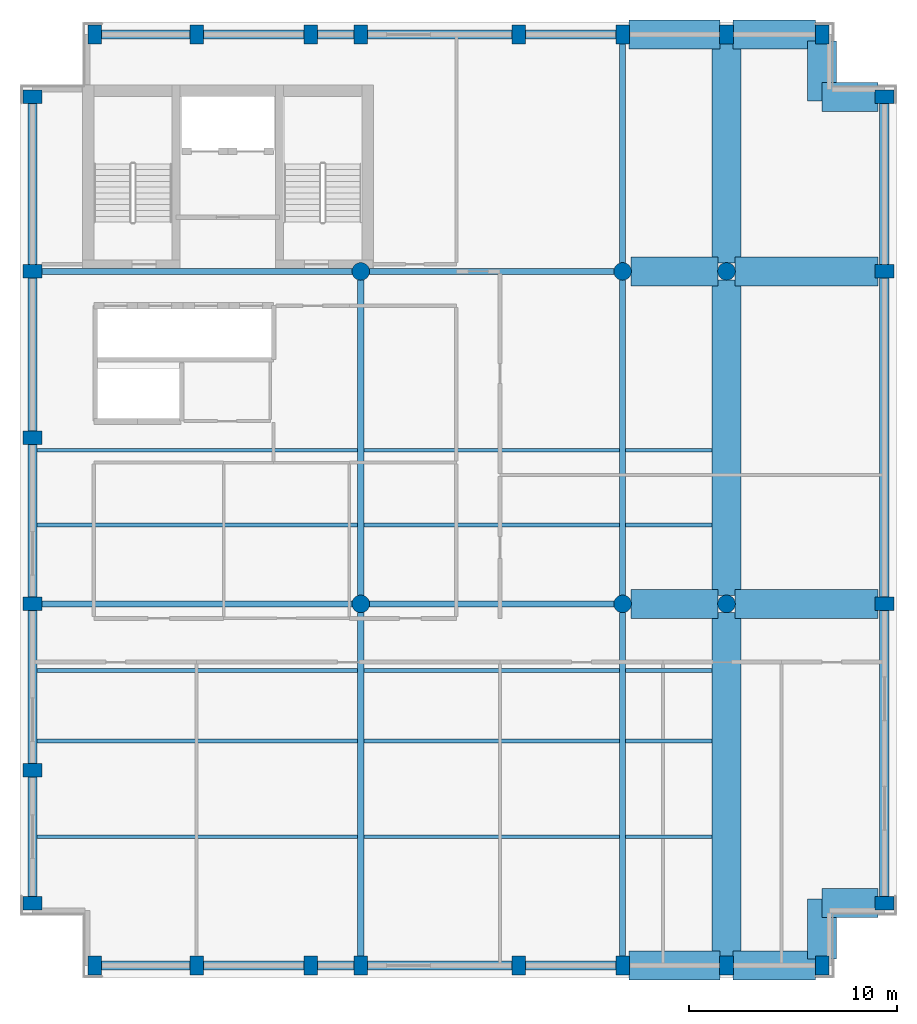
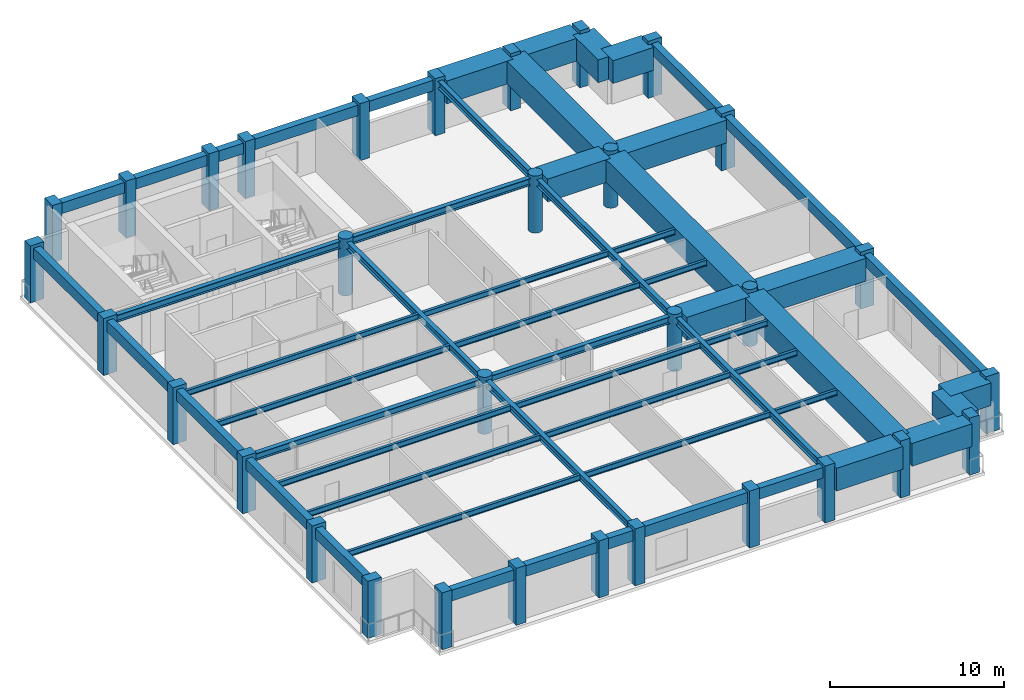
# One storey, part 1 of 7: 57 beams, 32 columns.
"""IFC4 building model written with IfcOpenShell, lengths in metres."""

import ifcopenshell
import ifcopenshell.guid

model = None  # the IFC model being written
_history = None  # IfcOwnerHistory: only IFC2X3 demands one
_inside = {}  # id of a spatial element -> (the spatial element, [elements in it])
_under = {}  # id of a project, library or spatial element -> (it, [spatial elements below it])
_declared = {}  # id of a project -> (the project, [libraries it declares])
_typed = {}  # id of a type object -> (the type object, [elements of that type])
_made_of = {}  # id of a material, layer set ... -> (it, [elements and type objects made of it])


def new_model(schema):
    """Start an empty IFC model of exactly this schema.

    Asked for "IFC4X3", IfcOpenShell would pick the latest addendum, in which some entities
    have other attributes; the version numbers below select the first issue.
    IFC2X3 requires an IfcOwnerHistory on every rooted entity: one is made here for all.
    """
    global model, _history
    if schema == "IFC4X3":
        model = ifcopenshell.file(schema_version=(4, 3, 0, 0))
    else:
        model = ifcopenshell.file(schema=schema)
    _inside.clear()
    _under.clear()
    _declared.clear()
    _typed.clear()
    _made_of.clear()
    _history = None
    if model.schema == "IFC2X3":
        org = make("IfcOrganization", Name="unknown")
        user = make(
            "IfcPersonAndOrganization",
            ThePerson=make("IfcPerson", FamilyName="unknown"),
            TheOrganization=org,
        )
        app = make(
            "IfcApplication",
            ApplicationDeveloper=org,
            Version="unknown",
            ApplicationFullName="unknown",
            ApplicationIdentifier="unknown",
        )
        _history = make(
            "IfcOwnerHistory",
            OwningUser=user,
            OwningApplication=app,
            ChangeAction="ADDED",
            CreationDate=0,
        )
    return model


def make(cls, **values):
    """One entity of the class cls with the attributes given. An attribute that is None is left unset."""
    return model.create_entity(
        cls, **{name: value for name, value in values.items() if value is not None}
    )


def rooted(cls, **values):
    """An entity with a GlobalId (a new one), such as an element, a storey or a relation."""
    return make(cls, GlobalId=ifcopenshell.guid.new(), OwnerHistory=_history, **values)


def si_unit(unit_type, name, prefix=None):
    """IfcSIUnit, for example si_unit("LENGTHUNIT", "METRE", prefix="MILLI")."""
    return make("IfcSIUnit", UnitType=unit_type, Prefix=prefix, Name=name)


def assignment(units):
    """IfcUnitAssignment: the units of a project."""
    return None if units is None else make("IfcUnitAssignment", Units=units)


def point(xyz):
    """IfcCartesianPoint."""
    return None if xyz is None else make("IfcCartesianPoint", Coordinates=xyz)


def direction(xyz):
    """IfcDirection."""
    return None if xyz is None else make("IfcDirection", DirectionRatios=xyz)


def frame(location, z_axis=None, x_axis=None):
    """IfcAxis2Placement3D, a coordinate frame: its origin and axes. An axis left out is left unset."""
    return make(
        "IfcAxis2Placement3D",
        Location=point(location),
        Axis=direction(z_axis),
        RefDirection=direction(x_axis),
    )


def frame_2d(location, x_axis=None):
    """IfcAxis2Placement2D, a coordinate frame in the plane: its origin and x axis."""
    return make(
        "IfcAxis2Placement2D", Location=point(location), RefDirection=direction(x_axis)
    )


def origin():
    """The frame at (0, 0, 0) with its axes left unset."""
    return frame((0.0, 0.0, 0.0))


def origin_2d():
    """The frame at (0, 0) in the plane with its x axis left unset."""
    return frame_2d((0.0, 0.0))


def place(relative_to, where):
    """IfcLocalPlacement: puts the frame where relative to a parent placement (None: the world)."""
    return make(
        "IfcLocalPlacement", PlacementRelTo=relative_to, RelativePlacement=where
    )


def context(
    kind, dimensions, precision=None, world=None, true_north=None, identifier=None
):
    """IfcGeometricRepresentationContext, for example the 3D "Model" context."""
    return make(
        "IfcGeometricRepresentationContext",
        ContextIdentifier=identifier,
        ContextType=kind,
        CoordinateSpaceDimension=dimensions,
        Precision=precision,
        WorldCoordinateSystem=world,
        TrueNorth=true_north,
    )


def subcontext(parent, identifier, kind, view, scale=None):
    """IfcGeometricRepresentationSubContext, for example "Body" below "Model"."""
    return make(
        "IfcGeometricRepresentationSubContext",
        ContextIdentifier=identifier,
        ContextType=kind,
        ParentContext=parent,
        TargetScale=scale,
        TargetView=view,
    )


def project(units=None, contexts=None):
    """IfcProject with its units and contexts."""
    return rooted(
        "IfcProject",
        Name="project",
        RepresentationContexts=contexts,
        UnitsInContext=assignment(units),
    )


def spatial(cls, under=None, at=None, **own):
    """A site, building, storey or space (cls), placed at a placement, below another one or the project."""
    s = rooted(cls, ObjectPlacement=at, **own)
    if under is not None:
        _under.setdefault(under.id(), (under, []))[1].append(s)
    return s


def profile(cls, at=None, kind="AREA", **sizes):
    """A parametric profile (cls). Its sizes go by their IFC names, for example OverallWidth=200.0."""
    return make(cls, ProfileType=kind, Position=at, **sizes)


def rectangle(**sizes):
    """IfcRectangleProfileDef."""
    return profile("IfcRectangleProfileDef", **sizes)


def circle(**sizes):
    """IfcCircleProfileDef."""
    return profile("IfcCircleProfileDef", **sizes)


def i_section(**sizes):
    """IfcIShapeProfileDef."""
    return profile("IfcIShapeProfileDef", **sizes)


def extrude(swept, where, along, depth):
    """IfcExtrudedAreaSolid: the profile swept, set in the frame where, extruded along a direction by depth."""
    return make(
        "IfcExtrudedAreaSolid",
        SweptArea=swept,
        Position=where,
        ExtrudedDirection=direction(along),
        Depth=depth,
    )


def shape(context_of_items, identifier, shape_type, items):
    """IfcShapeRepresentation: the items that make up one representation, for example the "Body"."""
    return make(
        "IfcShapeRepresentation",
        ContextOfItems=context_of_items,
        RepresentationIdentifier=identifier,
        RepresentationType=shape_type,
        Items=items,
    )


def material(Name=None, Category=None):
    """IfcMaterial."""
    return make("IfcMaterial", Name=Name, Category=Category)


def material_profile(
    of_material, cross_section, Name=None, Category=None, Priority=None
):
    """IfcMaterialProfile: a cross section and its material."""
    return make(
        "IfcMaterialProfile",
        Name=Name,
        Material=of_material,
        Profile=cross_section,
        Priority=Priority,
        Category=Category,
    )


def profile_set(profiles, Name=None, composite=None):
    """IfcMaterialProfileSet."""
    return make(
        "IfcMaterialProfileSet",
        Name=Name,
        MaterialProfiles=profiles,
        CompositeProfile=composite,
    )


def made_of(thing, what):
    """Note that an element or type object is made of a material, layer set ...; save() writes the relation."""
    if what is not None:
        _made_of.setdefault(what.id(), (what, []))[1].append(thing)
    return thing


def type_object(cls, material=None, **own):
    """A type object (cls), such as IfcWallType, which elements share."""
    return made_of(rooted(cls, **own), material)


def element(
    cls,
    number,
    at=None,
    inside=None,
    cuts=None,
    type_object=None,
    material=None,
    context=None,
    identifier="Body",
    shape_type=None,
    held_by="IfcProductDefinitionShape",
    body=None,
    shapes=None,
    **own,
):
    """One element of the class cls, such as IfcWall. Its Tag is "e" and its number.

    at: its placement. inside: the storey or other place that contains it. cuts: it is an
    opening in that element (IfcRelVoidsElement). A single representation is given by context,
    identifier, shape_type and body (its items); several are given by shapes. held_by: the class
    of the entity that holds the representations. save() writes the other relations.
    """
    e = rooted(cls, Tag="e%d" % number, ObjectPlacement=at, **own)
    if body is not None:
        shapes = [shape(context, identifier, shape_type, body)]
    if shapes is not None:
        e.Representation = make(held_by, Representations=shapes)
    if inside is not None:
        _inside.setdefault(inside.id(), (inside, []))[1].append(e)
    if cuts is not None:
        rooted(
            "IfcRelVoidsElement", RelatingBuildingElement=cuts, RelatedOpeningElement=e
        )
    if type_object is not None:
        _typed.setdefault(type_object.id(), (type_object, []))[1].append(e)
    return made_of(e, material)


def aggregate(whole, parts):
    """IfcRelAggregates: a whole, such as a stair, and the parts it consists of."""
    return rooted("IfcRelAggregates", RelatingObject=whole, RelatedObjects=parts)


def save(model, path):
    """Write the relations noted so far, then the file.

    IfcRelAggregates (storeys below a building ...), IfcRelContainedInSpatialStructure (elements
    in a storey), IfcRelDefinesByType, IfcRelAssociatesMaterial and IfcRelDeclares: one each for
    every whole, place, type object, material and project.
    """
    for whole, parts in _under.values():
        aggregate(whole, parts)
    for where, things in _inside.values():
        rooted(
            "IfcRelContainedInSpatialStructure",
            RelatedElements=things,
            RelatingStructure=where,
        )
    for kind, things in _typed.values():
        rooted("IfcRelDefinesByType", RelatedObjects=things, RelatingType=kind)
    for what, things in _made_of.values():
        rooted("IfcRelAssociatesMaterial", RelatedObjects=things, RelatingMaterial=what)
    for by, libraries in _declared.values():
        rooted("IfcRelDeclares", RelatingContext=by, RelatedDefinitions=libraries)
    model.write(path)


model = new_model("IFC4")

# Units and contexts
model_context = context("Model", 3, precision=1e-05, world=origin(), true_north=direction((0.0, 1.0)))
body_context = subcontext(model_context, "Body", "Model", "MODEL_VIEW")
ifc_project = project(units=[si_unit("LENGTHUNIT", "METRE"), si_unit("AREAUNIT", "SQUARE_METRE"), si_unit("VOLUMEUNIT", "CUBIC_METRE"), si_unit("PLANEANGLEUNIT", "RADIAN"), si_unit("MASSUNIT", "GRAM", prefix="KILO")], contexts=[model_context])

# Site, building, storey
site_placement = place(None, origin())
site = spatial("IfcSite", under=ifc_project, at=site_placement, CompositionType="ELEMENT")
building_placement = place(site_placement, origin())
building = spatial("IfcBuilding", under=site, at=building_placement, Name="Sulina Concourse Tower", CompositionType="ELEMENT")
storey_placement = place(building_placement, frame((0.0, 0.0, 301.0)))
storey = spatial("IfcBuildingStorey", under=building, at=storey_placement, Name="L73", CompositionType="ELEMENT", Elevation=301.0)

# Columns
ifc_material_1 = material(Name="Precast concrete C50/60", Category="concrete")
ifc_material_profile_1 = material_profile(ifc_material_1, rectangle(XDim=0.64990234375, YDim=0.89990234375, at=origin_2d()), Name="PC 650x900")
ifc_profile_set_1 = profile_set([ifc_material_profile_1], Name="Precast concrete C50/60")
column_type_1 = type_object("IfcColumnType", Name="Precast Stepped Crown Pier 650x900", PredefinedType="COLUMN", material=ifc_profile_set_1)
for number, where, z_axis, x_axis, name in (
    (1, (3.60009765625, 0.60009765625, 0.0), (0.0, 0.0, 1.0), (1.0, 0.0, 0.0), "L73 structural column TP-S-36"),
    (2, (3.60009765625, 45.39990234375, 0.0), (0.0, 0.0, 1.0), (1.0, 0.0, 0.0), "L73 structural column TP-N-36"),
    (3, (8.5, 0.60009765625, 0.0), (0.0, 0.0, 1.0), (1.0, 0.0, 0.0), "L73 structural column TP-S-85"),
    (4, (8.5, 45.39990234375, 0.0), (0.0, 0.0, 1.0), (1.0, 0.0, 0.0), "L73 structural column TP-N-85"),
    (5, (14.0, 0.60009765625, 0.0), (0.0, 0.0, 1.0), (1.0, 0.0, 0.0), "L73 structural column TP-S-140"),
    (6, (14.0, 45.39990234375, 0.0), (0.0, 0.0, 1.0), (1.0, 0.0, 0.0), "L73 structural column TP-N-140"),
    (7, (16.39990234375, 0.60009765625, 0.0), (0.0, 0.0, 1.0), (1.0, 0.0, 0.0), "L73 structural column TP-S-164"),
    (8, (16.39990234375, 45.39990234375, 0.0), (0.0, 0.0, 1.0), (1.0, 0.0, 0.0), "L73 structural column TP-N-164"),
    (9, (24.0, 0.60009765625, 0.0), (0.0, 0.0, 1.0), (1.0, 0.0, 0.0), "L73 structural column TP-S-240"),
    (10, (24.0, 45.39990234375, 0.0), (0.0, 0.0, 1.0), (1.0, 0.0, 0.0), "L73 structural column TP-N-240"),
    (11, (29.0, 0.60009765625, 0.0), (0.0, 0.0, 1.0), (1.0, 0.0, 0.0), "L73 structural column TP-S-290"),
    (12, (29.0, 45.39990234375, 0.0), (0.0, 0.0, 1.0), (1.0, 0.0, 0.0), "L73 structural column TP-N-290"),
    (13, (34.0, 0.60009765625, 0.0), (0.0, 0.0, 1.0), (1.0, 0.0, 0.0), "L73 structural column TP-S-340"),
    (14, (34.0, 45.39990234375, 0.0), (0.0, 0.0, 1.0), (1.0, 0.0, 0.0), "L73 structural column TP-N-340"),
    (15, (38.60009765625, 0.60009765625, 0.0), (0.0, 0.0, 1.0), (1.0, 0.0, 0.0), "L73 structural column TP-SC-386"),
    (16, (38.60009765625, 45.39990234375, 0.0), (0.0, 0.0, 1.0), (1.0, 0.0, 0.0), "L73 structural column TP-NC-386"),
    (17, (0.60009765625, 3.60009765625, 0.0), (0.0, 0.0, 1.0), (0.0, 1.0, 0.0), "L73 structural column TP-W-36"),
    (18, (41.60009765625, 3.60009765625, 0.0), (0.0, 0.0, 1.0), (0.0, 1.0, 0.0), "L73 structural column TP-E-36"),
    (19, (0.60009765625, 10.0, 0.0), (0.0, 0.0, 1.0), (0.0, 1.0, 0.0), "L73 structural column TP-W-100"),
    (20, (0.60009765625, 18.0, 0.0), (0.0, 0.0, 1.0), (0.0, 1.0, 0.0), "L73 structural column TP-W-180"),
    (21, (41.60009765625, 18.0, 0.0), (0.0, 0.0, 1.0), (0.0, 1.0, 0.0), "L73 structural column TP-E-180"),
    (22, (0.60009765625, 26.0, 0.0), (0.0, 0.0, 1.0), (0.0, 1.0, 0.0), "L73 structural column TP-W-260"),
    (23, (0.60009765625, 34.0, 0.0), (0.0, 0.0, 1.0), (0.0, 1.0, 0.0), "L73 structural column TP-W-340"),
    (24, (41.60009765625, 34.0, 0.0), (0.0, 0.0, 1.0), (0.0, 1.0, 0.0), "L73 structural column TP-E-340"),
    (25, (0.60009765625, 42.39990234375, 0.0), (0.0, 0.0, 1.0), (0.0, 1.0, 0.0), "L73 structural column TP-W-424"),
    (26, (41.60009765625, 42.39990234375, 0.0), (0.0, 0.0, 1.0), (0.0, 1.0, 0.0), "L73 structural column TP-E-424"),
):
    element("IfcColumn", number, at=place(storey_placement, frame(where, z_axis=z_axis, x_axis=x_axis)), inside=storey, type_object=column_type_1, Name=name, PredefinedType="COLUMN", context=body_context, shape_type="SweptSolid", body=[
        extrude(rectangle(XDim=0.64990234375, YDim=0.89990234375, at=origin_2d()), origin(), (0.0, 0.0, 1.0), 4.0),
    ])
ifc_material_2 = material(Name="Concrete C50/60", Category="concrete")
ifc_material_profile_2 = material_profile(ifc_material_2, circle(Radius=0.425048828125, at=origin_2d()), Name="RC D850")
ifc_profile_set_2 = profile_set([ifc_material_profile_2], Name="Concrete C50/60")
column_type_2 = type_object("IfcColumnType", Name="Upper Interior Circular Column D850", PredefinedType="COLUMN", material=ifc_profile_set_2)
for number, where, z_axis, x_axis, name in (
    (27, (16.39990234375, 18.0, 0.0), (0.0, 0.0, 1.0), (1.0, 0.0, 0.0), "L73 structural column IC-M-164"),
    (28, (16.39990234375, 34.0, 0.0), (0.0, 0.0, 1.0), (1.0, 0.0, 0.0), "L73 structural column IC-N-164"),
    (29, (29.0, 18.0, 0.0), (0.0, 0.0, 1.0), (1.0, 0.0, 0.0), "L73 structural column IC-M-290"),
    (30, (29.0, 34.0, 0.0), (0.0, 0.0, 1.0), (1.0, 0.0, 0.0), "L73 structural column IC-N-290"),
    (31, (34.0, 18.0, 0.0), (0.0, 0.0, 1.0), (1.0, 0.0, 0.0), "L73 structural column IC-M-340"),
    (32, (34.0, 34.0, 0.0), (0.0, 0.0, 1.0), (1.0, 0.0, 0.0), "L73 structural column IC-N-340"),
):
    element("IfcColumn", number, at=place(storey_placement, frame(where, z_axis=z_axis, x_axis=x_axis)), inside=storey, type_object=column_type_2, Name=name, PredefinedType="COLUMN", context=body_context, shape_type="SweptSolid", body=[
        extrude(circle(Radius=0.425048828125, at=origin_2d()), origin(), (0.0, 0.0, 1.0), 4.0),
    ])

# Beams
ifc_material_3 = material(Name="Steel S355", Category="steel")
ifc_material_profile_3 = material_profile(ifc_material_3, i_section(OverallWidth=0.300048828125, OverallDepth=0.5, WebThickness=0.014404296875, FlangeThickness=0.028076171875, at=origin_2d()), Name="HE 500 B")
ifc_profile_set_3 = profile_set([ifc_material_profile_3], Name="Steel S355")
beam_type_1 = type_object("IfcBeamType", Name="Crown & Canopy Primary Girder HE500B", PredefinedType="BEAM", material=ifc_profile_set_3)
beam_1_placement = place(storey_placement, frame((0.905029296875, 18.0, 3.52490234375), z_axis=(1.0, 0.0, 0.0), x_axis=(0.0, 1.0, 0.0)))
element("IfcBeam", 33, at=beam_1_placement, inside=storey, type_object=beam_type_1, Name="FG-EW1-L73", PredefinedType="BEAM", context=body_context, shape_type="SweptSolid", body=[
    extrude(i_section(OverallWidth=0.300048828125, OverallDepth=0.5, WebThickness=0.014404296875, FlangeThickness=0.028076171875, at=origin_2d()), origin(), (0.0, 0.0, 1.0), 15.090087890625),
])
beam_2_placement = place(storey_placement, frame((16.804931640625, 18.0, 3.52490234375), z_axis=(1.0, 0.0, 0.0), x_axis=(0.0, 1.0, 0.0)))
element("IfcBeam", 34, at=beam_2_placement, inside=storey, type_object=beam_type_1, Name="FG-EW2-L73", PredefinedType="BEAM", context=body_context, shape_type="SweptSolid", body=[
    extrude(i_section(OverallWidth=0.300048828125, OverallDepth=0.5, WebThickness=0.014404296875, FlangeThickness=0.028076171875, at=origin_2d()), origin(), (0.0, 0.0, 1.0), 11.7900390625),
])
beam_3_placement = place(storey_placement, frame((0.905029296875, 34.0, 3.52490234375), z_axis=(1.0, 0.0, 0.0), x_axis=(0.0, 1.0, 0.0)))
element("IfcBeam", 35, at=beam_3_placement, inside=storey, type_object=beam_type_1, Name="FG-EWN1-L73", PredefinedType="BEAM", context=body_context, shape_type="SweptSolid", body=[
    extrude(i_section(OverallWidth=0.300048828125, OverallDepth=0.5, WebThickness=0.014404296875, FlangeThickness=0.028076171875, at=origin_2d()), origin(), (0.0, 0.0, 1.0), 15.090087890625),
])
beam_4_placement = place(storey_placement, frame((16.804931640625, 34.0, 3.52490234375), z_axis=(1.0, 0.0, 0.0), x_axis=(0.0, 1.0, 0.0)))
element("IfcBeam", 36, at=beam_4_placement, inside=storey, type_object=beam_type_1, Name="FG-EWN2-L73", PredefinedType="BEAM", context=body_context, shape_type="SweptSolid", body=[
    extrude(i_section(OverallWidth=0.300048828125, OverallDepth=0.5, WebThickness=0.014404296875, FlangeThickness=0.028076171875, at=origin_2d()), origin(), (0.0, 0.0, 1.0), 11.7900390625),
])
beam_5_placement = place(storey_placement, frame((16.39990234375, 0.905029296875, 3.52490234375), z_axis=(0.0, 1.0, 0.0), x_axis=(-1.0, 0.0, 0.0)))
element("IfcBeam", 37, at=beam_5_placement, inside=storey, type_object=beam_type_1, Name="FG-NSA-16-L73", PredefinedType="BEAM", context=body_context, shape_type="SweptSolid", body=[
    extrude(i_section(OverallWidth=0.300048828125, OverallDepth=0.5, WebThickness=0.014404296875, FlangeThickness=0.028076171875, at=origin_2d()), origin(), (0.0, 0.0, 1.0), 16.68994140625),
])
beam_6_placement = place(storey_placement, frame((16.39990234375, 18.405029296875, 3.52490234375), z_axis=(0.0, 1.0, 0.0), x_axis=(-1.0, 0.0, 0.0)))
element("IfcBeam", 38, at=beam_6_placement, inside=storey, type_object=beam_type_1, Name="FG-NSB-16-L73", PredefinedType="BEAM", context=body_context, shape_type="SweptSolid", body=[
    extrude(i_section(OverallWidth=0.300048828125, OverallDepth=0.5, WebThickness=0.014404296875, FlangeThickness=0.028076171875, at=origin_2d()), origin(), (0.0, 0.0, 1.0), 15.18994140625),
])
beam_7_placement = place(storey_placement, frame((29.0, 0.905029296875, 3.52490234375), z_axis=(0.0, 1.0, 0.0), x_axis=(-1.0, 0.0, 0.0)))
element("IfcBeam", 39, at=beam_7_placement, inside=storey, type_object=beam_type_1, Name="FG-NSA-29-L73", PredefinedType="BEAM", context=body_context, shape_type="SweptSolid", body=[
    extrude(i_section(OverallWidth=0.300048828125, OverallDepth=0.5, WebThickness=0.014404296875, FlangeThickness=0.028076171875, at=origin_2d()), origin(), (0.0, 0.0, 1.0), 16.68994140625),
])
beam_8_placement = place(storey_placement, frame((29.0, 18.405029296875, 3.52490234375), z_axis=(0.0, 1.0, 0.0), x_axis=(-1.0, 0.0, 0.0)))
element("IfcBeam", 40, at=beam_8_placement, inside=storey, type_object=beam_type_1, Name="FG-NSB-29-L73", PredefinedType="BEAM", context=body_context, shape_type="SweptSolid", body=[
    extrude(i_section(OverallWidth=0.300048828125, OverallDepth=0.5, WebThickness=0.014404296875, FlangeThickness=0.028076171875, at=origin_2d()), origin(), (0.0, 0.0, 1.0), 15.18994140625),
])
beam_9_placement = place(storey_placement, frame((29.0, 34.405029296875, 3.52490234375), z_axis=(0.0, 1.0, 0.0), x_axis=(-1.0, 0.0, 0.0)))
element("IfcBeam", 41, at=beam_9_placement, inside=storey, type_object=beam_type_1, Name="FG-NSC-29-L73", PredefinedType="BEAM", context=body_context, shape_type="SweptSolid", body=[
    extrude(i_section(OverallWidth=0.300048828125, OverallDepth=0.5, WebThickness=0.014404296875, FlangeThickness=0.028076171875, at=origin_2d()), origin(), (0.0, 0.0, 1.0), 10.68994140625),
])
ifc_material_4 = material(Name="Steel S355", Category="steel")
ifc_material_profile_4 = material_profile(ifc_material_4, i_section(OverallWidth=0.179931640625, OverallDepth=0.39990234375, WebThickness=0.008544921875, FlangeThickness=0.013427734375, at=origin_2d()), Name="IPE 400")
ifc_profile_set_4 = profile_set([ifc_material_profile_4], Name="Steel S355")
beam_type_2 = type_object("IfcBeamType", Name="Crown & Terrace Joist IPE400", PredefinedType="JOIST", material=ifc_profile_set_4)
beam_10_placement = place(storey_placement, frame((0.824951171875, 6.800048828125, 3.574951171875), z_axis=(1.0, 0.0, 0.0), x_axis=(0.0, 1.0, 0.0)))
element("IfcBeam", 42, at=beam_10_placement, inside=storey, type_object=beam_type_2, Name="FJ-J06-1-L73", PredefinedType="JOIST", context=body_context, shape_type="SweptSolid", body=[
    extrude(i_section(OverallWidth=0.179931640625, OverallDepth=0.39990234375, WebThickness=0.008544921875, FlangeThickness=0.013427734375, at=origin_2d()), origin(), (0.0, 0.0, 1.0), 15.425048828125),
])
beam_11_placement = place(storey_placement, frame((16.550048828125, 6.800048828125, 3.574951171875), z_axis=(1.0, 0.0, 0.0), x_axis=(0.0, 1.0, 0.0)))
element("IfcBeam", 43, at=beam_11_placement, inside=storey, type_object=beam_type_2, Name="FJ-J06-2-L73", PredefinedType="JOIST", context=body_context, shape_type="SweptSolid", body=[
    extrude(i_section(OverallWidth=0.179931640625, OverallDepth=0.39990234375, WebThickness=0.008544921875, FlangeThickness=0.013427734375, at=origin_2d()), origin(), (0.0, 0.0, 1.0), 12.300048828125),
])
beam_12_placement = place(storey_placement, frame((29.14990234375, 6.800048828125, 3.574951171875), z_axis=(1.0, 0.0, 0.0), x_axis=(0.0, 1.0, 0.0)))
element("IfcBeam", 44, at=beam_12_placement, inside=storey, type_object=beam_type_2, Name="FJ-J06-3-L73", PredefinedType="JOIST", context=body_context, shape_type="SweptSolid", body=[
    extrude(i_section(OverallWidth=0.179931640625, OverallDepth=0.39990234375, WebThickness=0.008544921875, FlangeThickness=0.013427734375, at=origin_2d()), origin(), (0.0, 0.0, 1.0), 4.150146484375),
])
beam_13_placement = place(storey_placement, frame((0.824951171875, 11.39990234375, 3.574951171875), z_axis=(1.0, 0.0, 0.0), x_axis=(0.0, 1.0, 0.0)))
element("IfcBeam", 45, at=beam_13_placement, inside=storey, type_object=beam_type_2, Name="FJ-J11-1-L73", PredefinedType="JOIST", context=body_context, shape_type="SweptSolid", body=[
    extrude(i_section(OverallWidth=0.179931640625, OverallDepth=0.39990234375, WebThickness=0.008544921875, FlangeThickness=0.013427734375, at=origin_2d()), origin(), (0.0, 0.0, 1.0), 15.425048828125),
])
beam_14_placement = place(storey_placement, frame((16.550048828125, 11.39990234375, 3.574951171875), z_axis=(1.0, 0.0, 0.0), x_axis=(0.0, 1.0, 0.0)))
element("IfcBeam", 46, at=beam_14_placement, inside=storey, type_object=beam_type_2, Name="FJ-J11-2-L73", PredefinedType="JOIST", context=body_context, shape_type="SweptSolid", body=[
    extrude(i_section(OverallWidth=0.179931640625, OverallDepth=0.39990234375, WebThickness=0.008544921875, FlangeThickness=0.013427734375, at=origin_2d()), origin(), (0.0, 0.0, 1.0), 12.300048828125),
])
beam_15_placement = place(storey_placement, frame((29.14990234375, 11.39990234375, 3.574951171875), z_axis=(1.0, 0.0, 0.0), x_axis=(0.0, 1.0, 0.0)))
element("IfcBeam", 47, at=beam_15_placement, inside=storey, type_object=beam_type_2, Name="FJ-J11-3-L73", PredefinedType="JOIST", context=body_context, shape_type="SweptSolid", body=[
    extrude(i_section(OverallWidth=0.179931640625, OverallDepth=0.39990234375, WebThickness=0.008544921875, FlangeThickness=0.013427734375, at=origin_2d()), origin(), (0.0, 0.0, 1.0), 4.150146484375),
])
beam_16_placement = place(storey_placement, frame((0.824951171875, 14.800048828125, 3.574951171875), z_axis=(1.0, 0.0, 0.0), x_axis=(0.0, 1.0, 0.0)))
element("IfcBeam", 48, at=beam_16_placement, inside=storey, type_object=beam_type_2, Name="FJ-J15-1-L73", PredefinedType="JOIST", context=body_context, shape_type="SweptSolid", body=[
    extrude(i_section(OverallWidth=0.179931640625, OverallDepth=0.39990234375, WebThickness=0.008544921875, FlangeThickness=0.013427734375, at=origin_2d()), origin(), (0.0, 0.0, 1.0), 15.425048828125),
])
beam_17_placement = place(storey_placement, frame((16.550048828125, 14.800048828125, 3.574951171875), z_axis=(1.0, 0.0, 0.0), x_axis=(0.0, 1.0, 0.0)))
element("IfcBeam", 49, at=beam_17_placement, inside=storey, type_object=beam_type_2, Name="FJ-J15-2-L73", PredefinedType="JOIST", context=body_context, shape_type="SweptSolid", body=[
    extrude(i_section(OverallWidth=0.179931640625, OverallDepth=0.39990234375, WebThickness=0.008544921875, FlangeThickness=0.013427734375, at=origin_2d()), origin(), (0.0, 0.0, 1.0), 12.300048828125),
])
beam_18_placement = place(storey_placement, frame((29.14990234375, 14.800048828125, 3.574951171875), z_axis=(1.0, 0.0, 0.0), x_axis=(0.0, 1.0, 0.0)))
element("IfcBeam", 50, at=beam_18_placement, inside=storey, type_object=beam_type_2, Name="FJ-J15-3-L73", PredefinedType="JOIST", context=body_context, shape_type="SweptSolid", body=[
    extrude(i_section(OverallWidth=0.179931640625, OverallDepth=0.39990234375, WebThickness=0.008544921875, FlangeThickness=0.013427734375, at=origin_2d()), origin(), (0.0, 0.0, 1.0), 4.150146484375),
])
beam_19_placement = place(storey_placement, frame((0.824951171875, 21.800048828125, 3.574951171875), z_axis=(1.0, 0.0, 0.0), x_axis=(0.0, 1.0, 0.0)))
element("IfcBeam", 51, at=beam_19_placement, inside=storey, type_object=beam_type_2, Name="FJ-J22-1-L73", PredefinedType="JOIST", context=body_context, shape_type="SweptSolid", body=[
    extrude(i_section(OverallWidth=0.179931640625, OverallDepth=0.39990234375, WebThickness=0.008544921875, FlangeThickness=0.013427734375, at=origin_2d()), origin(), (0.0, 0.0, 1.0), 15.425048828125),
])
beam_20_placement = place(storey_placement, frame((16.550048828125, 21.800048828125, 3.574951171875), z_axis=(1.0, 0.0, 0.0), x_axis=(0.0, 1.0, 0.0)))
element("IfcBeam", 52, at=beam_20_placement, inside=storey, type_object=beam_type_2, Name="FJ-J22-2-L73", PredefinedType="JOIST", context=body_context, shape_type="SweptSolid", body=[
    extrude(i_section(OverallWidth=0.179931640625, OverallDepth=0.39990234375, WebThickness=0.008544921875, FlangeThickness=0.013427734375, at=origin_2d()), origin(), (0.0, 0.0, 1.0), 12.300048828125),
])
beam_21_placement = place(storey_placement, frame((29.14990234375, 21.800048828125, 3.574951171875), z_axis=(1.0, 0.0, 0.0), x_axis=(0.0, 1.0, 0.0)))
element("IfcBeam", 53, at=beam_21_placement, inside=storey, type_object=beam_type_2, Name="FJ-J22-3-L73", PredefinedType="JOIST", context=body_context, shape_type="SweptSolid", body=[
    extrude(i_section(OverallWidth=0.179931640625, OverallDepth=0.39990234375, WebThickness=0.008544921875, FlangeThickness=0.013427734375, at=origin_2d()), origin(), (0.0, 0.0, 1.0), 4.150146484375),
])
beam_22_placement = place(storey_placement, frame((0.824951171875, 25.39990234375, 3.574951171875), z_axis=(1.0, 0.0, 0.0), x_axis=(0.0, 1.0, 0.0)))
element("IfcBeam", 54, at=beam_22_placement, inside=storey, type_object=beam_type_2, Name="FJ-J25-1-L73", PredefinedType="JOIST", context=body_context, shape_type="SweptSolid", body=[
    extrude(i_section(OverallWidth=0.179931640625, OverallDepth=0.39990234375, WebThickness=0.008544921875, FlangeThickness=0.013427734375, at=origin_2d()), origin(), (0.0, 0.0, 1.0), 15.425048828125),
])
beam_23_placement = place(storey_placement, frame((16.550048828125, 25.39990234375, 3.574951171875), z_axis=(1.0, 0.0, 0.0), x_axis=(0.0, 1.0, 0.0)))
element("IfcBeam", 55, at=beam_23_placement, inside=storey, type_object=beam_type_2, Name="FJ-J25-2-L73", PredefinedType="JOIST", context=body_context, shape_type="SweptSolid", body=[
    extrude(i_section(OverallWidth=0.179931640625, OverallDepth=0.39990234375, WebThickness=0.008544921875, FlangeThickness=0.013427734375, at=origin_2d()), origin(), (0.0, 0.0, 1.0), 12.300048828125),
])
beam_24_placement = place(storey_placement, frame((29.14990234375, 25.39990234375, 3.574951171875), z_axis=(1.0, 0.0, 0.0), x_axis=(0.0, 1.0, 0.0)))
element("IfcBeam", 56, at=beam_24_placement, inside=storey, type_object=beam_type_2, Name="FJ-J25-3-L73", PredefinedType="JOIST", context=body_context, shape_type="SweptSolid", body=[
    extrude(i_section(OverallWidth=0.179931640625, OverallDepth=0.39990234375, WebThickness=0.008544921875, FlangeThickness=0.013427734375, at=origin_2d()), origin(), (0.0, 0.0, 1.0), 4.150146484375),
])
ifc_material_5 = material(Name="Concrete C60/75", Category="concrete")
ifc_material_profile_5 = material_profile(ifc_material_5, rectangle(XDim=1.39990234375, YDim=1.60009765625, at=origin_2d()), Name="RC 1400x1600")
ifc_profile_set_5 = profile_set([ifc_material_profile_5], Name="Concrete C60/75")
beam_type_3 = type_object("IfcBeamType", Name="Perimeter & Step Transfer Girder 1400x1600", PredefinedType="BEAM", material=ifc_profile_set_5)
beam_25_placement = place(storey_placement, frame((29.304931640625, 0.60009765625, 2.97509765625), z_axis=(1.0, 0.0, 0.0), x_axis=(0.0, 1.0, 0.0)))
element("IfcBeam", 57, at=beam_25_placement, inside=storey, type_object=beam_type_3, Name="TG-CSTEP-S6-L73", PredefinedType="BEAM", context=body_context, shape_type="SweptSolid", body=[
    extrude(rectangle(XDim=1.39990234375, YDim=1.60009765625, at=origin_2d()), origin(), (0.0, 0.0, 1.0), 4.39013671875),
])
beam_26_placement = place(storey_placement, frame((34.304931640625, 0.60009765625, 2.965087890625), z_axis=(1.0, 0.0, 0.0), x_axis=(0.0, 1.0, 0.0)))
element("IfcBeam", 58, at=beam_26_placement, inside=storey, type_object=beam_type_3, Name="TG-CSTEP-S7-L73", PredefinedType="BEAM", context=body_context, shape_type="SweptSolid", body=[
    extrude(rectangle(XDim=1.39990234375, YDim=1.60009765625, at=origin_2d()), origin(), (0.0, 0.0, 1.0), 3.989990234375),
])
beam_27_placement = place(storey_placement, frame((29.304931640625, 45.39990234375, 2.97509765625), z_axis=(1.0, 0.0, 0.0), x_axis=(0.0, 1.0, 0.0)))
element("IfcBeam", 59, at=beam_27_placement, inside=storey, type_object=beam_type_3, Name="TG-CSTEP-N6-L73", PredefinedType="BEAM", context=body_context, shape_type="SweptSolid", body=[
    extrude(rectangle(XDim=1.39990234375, YDim=1.60009765625, at=origin_2d()), origin(), (0.0, 0.0, 1.0), 4.39013671875),
])
beam_28_placement = place(storey_placement, frame((34.304931640625, 45.39990234375, 2.965087890625), z_axis=(1.0, 0.0, 0.0), x_axis=(0.0, 1.0, 0.0)))
element("IfcBeam", 60, at=beam_28_placement, inside=storey, type_object=beam_type_3, Name="TG-CSTEP-N7-L73", PredefinedType="BEAM", context=body_context, shape_type="SweptSolid", body=[
    extrude(rectangle(XDim=1.39990234375, YDim=1.60009765625, at=origin_2d()), origin(), (0.0, 0.0, 1.0), 3.989990234375),
])
for number, where, z_axis, x_axis, name in (
    (61, (38.60009765625, 3.60009765625, 2.965087890625), (1.0, 0.0, 0.0), (0.0, 1.0, 0.0), "TIE-SE-L73"),
    (62, (38.60009765625, 42.39990234375, 2.965087890625), (1.0, 0.0, 0.0), (0.0, 1.0, 0.0), "TIE-NE-L73"),
):
    element("IfcBeam", number, at=place(storey_placement, frame(where, z_axis=z_axis, x_axis=x_axis)), inside=storey, type_object=beam_type_3, Name=name, PredefinedType="BEAM", context=body_context, shape_type="SweptSolid", body=[
        extrude(rectangle(XDim=1.39990234375, YDim=1.60009765625, at=origin_2d()), origin(), (0.0, 0.0, 1.0), 2.69482421875),
    ])
for number, where, z_axis, x_axis, name in (
    (63, (38.60009765625, 0.905029296875, 2.965087890625), (0.0, 1.0, 0.0), (-1.0, 0.0, 0.0), "TIE-SES-L73"),
    (64, (38.60009765625, 42.199951171875, 2.965087890625), (0.0, 1.0, 0.0), (-1.0, 0.0, 0.0), "TIE-NEN-L73"),
):
    element("IfcBeam", number, at=place(storey_placement, frame(where, z_axis=z_axis, x_axis=x_axis)), inside=storey, type_object=beam_type_3, Name=name, PredefinedType="BEAM", context=body_context, shape_type="SweptSolid", body=[
        extrude(rectangle(XDim=1.39990234375, YDim=1.60009765625, at=origin_2d()), origin(), (0.0, 0.0, 1.0), 2.89501953125),
    ])
beam_29_placement = place(storey_placement, frame((29.405029296875, 18.0, 2.97509765625), z_axis=(1.0, 0.0, 0.0), x_axis=(0.0, 1.0, 0.0)))
element("IfcBeam", 65, at=beam_29_placement, inside=storey, type_object=beam_type_3, Name="TG-EW-M3-L73", PredefinedType="BEAM", context=body_context, shape_type="SweptSolid", body=[
    extrude(rectangle(XDim=1.39990234375, YDim=1.60009765625, at=origin_2d()), origin(), (0.0, 0.0, 1.0), 4.18994140625),
])
beam_30_placement = place(storey_placement, frame((34.405029296875, 18.0, 2.965087890625), z_axis=(1.0, 0.0, 0.0), x_axis=(0.0, 1.0, 0.0)))
element("IfcBeam", 66, at=beam_30_placement, inside=storey, type_object=beam_type_3, Name="TG-EW-M4-L73", PredefinedType="BEAM", context=body_context, shape_type="SweptSolid", body=[
    extrude(rectangle(XDim=1.39990234375, YDim=1.60009765625, at=origin_2d()), origin(), (0.0, 0.0, 1.0), 6.889892578125),
])
beam_31_placement = place(storey_placement, frame((29.405029296875, 34.0, 2.97509765625), z_axis=(1.0, 0.0, 0.0), x_axis=(0.0, 1.0, 0.0)))
element("IfcBeam", 67, at=beam_31_placement, inside=storey, type_object=beam_type_3, Name="TG-EW-N3-L73", PredefinedType="BEAM", context=body_context, shape_type="SweptSolid", body=[
    extrude(rectangle(XDim=1.39990234375, YDim=1.60009765625, at=origin_2d()), origin(), (0.0, 0.0, 1.0), 4.18994140625),
])
beam_32_placement = place(storey_placement, frame((34.405029296875, 34.0, 2.965087890625), z_axis=(1.0, 0.0, 0.0), x_axis=(0.0, 1.0, 0.0)))
element("IfcBeam", 68, at=beam_32_placement, inside=storey, type_object=beam_type_3, Name="TG-EW-N4-L73", PredefinedType="BEAM", context=body_context, shape_type="SweptSolid", body=[
    extrude(rectangle(XDim=1.39990234375, YDim=1.60009765625, at=origin_2d()), origin(), (0.0, 0.0, 1.0), 6.889892578125),
])
beam_33_placement = place(storey_placement, frame((34.0, 0.905029296875, 2.97509765625), z_axis=(0.0, 1.0, 0.0), x_axis=(-1.0, 0.0, 0.0)))
element("IfcBeam", 69, at=beam_33_placement, inside=storey, type_object=beam_type_3, Name="FG-NSA-34-L73", PredefinedType="BEAM", context=body_context, shape_type="SweptSolid", body=[
    extrude(rectangle(XDim=1.39990234375, YDim=1.60009765625, at=origin_2d()), origin(), (0.0, 0.0, 1.0), 16.68994140625),
])
beam_34_placement = place(storey_placement, frame((34.0, 18.405029296875, 2.97509765625), z_axis=(0.0, 1.0, 0.0), x_axis=(-1.0, 0.0, 0.0)))
element("IfcBeam", 70, at=beam_34_placement, inside=storey, type_object=beam_type_3, Name="FG-NSB-34-L73", PredefinedType="BEAM", context=body_context, shape_type="SweptSolid", body=[
    extrude(rectangle(XDim=1.39990234375, YDim=1.60009765625, at=origin_2d()), origin(), (0.0, 0.0, 1.0), 15.18994140625),
])
beam_35_placement = place(storey_placement, frame((34.0, 34.405029296875, 2.97509765625), z_axis=(0.0, 1.0, 0.0), x_axis=(-1.0, 0.0, 0.0)))
element("IfcBeam", 71, at=beam_35_placement, inside=storey, type_object=beam_type_3, Name="FG-NSC-34-L73", PredefinedType="BEAM", context=body_context, shape_type="SweptSolid", body=[
    extrude(rectangle(XDim=1.39990234375, YDim=1.60009765625, at=origin_2d()), origin(), (0.0, 0.0, 1.0), 10.68994140625),
])
ifc_material_6 = material(Name="Precast concrete C50/60", Category="concrete")
ifc_material_profile_6 = material_profile(ifc_material_6, rectangle(XDim=0.449951171875, YDim=0.75, at=origin_2d()), Name="RC 450x750")
ifc_profile_set_6 = profile_set([ifc_material_profile_6], Name="Precast concrete C50/60")
beam_type_4 = type_object("IfcBeamType", Name="Upper Precast Spandrel Edge Beam 450x750", PredefinedType="BEAM", material=ifc_profile_set_6)
beam_36_placement = place(storey_placement, frame((3.905029296875, 0.60009765625, 3.39990234375), z_axis=(1.0, 0.0, 0.0), x_axis=(0.0, 1.0, 0.0)))
element("IfcBeam", 72, at=beam_36_placement, inside=storey, type_object=beam_type_4, Name="SP-S1-L73", PredefinedType="BEAM", context=body_context, shape_type="SweptSolid", body=[
    extrude(rectangle(XDim=0.449951171875, YDim=0.75, at=origin_2d()), origin(), (0.0, 0.0, 1.0), 4.2900390625),
])
beam_37_placement = place(storey_placement, frame((8.804931640625, 0.60009765625, 3.39990234375), z_axis=(1.0, 0.0, 0.0), x_axis=(0.0, 1.0, 0.0)))
element("IfcBeam", 73, at=beam_37_placement, inside=storey, type_object=beam_type_4, Name="SP-S2-L73", PredefinedType="BEAM", context=body_context, shape_type="SweptSolid", body=[
    extrude(rectangle(XDim=0.449951171875, YDim=0.75, at=origin_2d()), origin(), (0.0, 0.0, 1.0), 4.89013671875),
])
beam_38_placement = place(storey_placement, frame((14.304931640625, 0.60009765625, 3.39990234375), z_axis=(1.0, 0.0, 0.0), x_axis=(0.0, 1.0, 0.0)))
element("IfcBeam", 74, at=beam_38_placement, inside=storey, type_object=beam_type_4, Name="SP-S3-L73", PredefinedType="BEAM", context=body_context, shape_type="SweptSolid", body=[
    extrude(rectangle(XDim=0.449951171875, YDim=0.75, at=origin_2d()), origin(), (0.0, 0.0, 1.0), 1.7900390625),
])
beam_39_placement = place(storey_placement, frame((16.705078125, 0.60009765625, 3.39990234375), z_axis=(1.0, 0.0, 0.0), x_axis=(0.0, 1.0, 0.0)))
element("IfcBeam", 75, at=beam_39_placement, inside=storey, type_object=beam_type_4, Name="SP-S4-L73", PredefinedType="BEAM", context=body_context, shape_type="SweptSolid", body=[
    extrude(rectangle(XDim=0.449951171875, YDim=0.75, at=origin_2d()), origin(), (0.0, 0.0, 1.0), 6.989990234375),
])
beam_40_placement = place(storey_placement, frame((24.304931640625, 0.60009765625, 3.39990234375), z_axis=(1.0, 0.0, 0.0), x_axis=(0.0, 1.0, 0.0)))
element("IfcBeam", 76, at=beam_40_placement, inside=storey, type_object=beam_type_4, Name="SP-S5-L73", PredefinedType="BEAM", context=body_context, shape_type="SweptSolid", body=[
    extrude(rectangle(XDim=0.449951171875, YDim=0.75, at=origin_2d()), origin(), (0.0, 0.0, 1.0), 4.39013671875),
])
beam_41_placement = place(storey_placement, frame((3.905029296875, 45.39990234375, 3.39990234375), z_axis=(1.0, 0.0, 0.0), x_axis=(0.0, 1.0, 0.0)))
element("IfcBeam", 77, at=beam_41_placement, inside=storey, type_object=beam_type_4, Name="SP-N1-L73", PredefinedType="BEAM", context=body_context, shape_type="SweptSolid", body=[
    extrude(rectangle(XDim=0.449951171875, YDim=0.75, at=origin_2d()), origin(), (0.0, 0.0, 1.0), 4.2900390625),
])
beam_42_placement = place(storey_placement, frame((8.804931640625, 45.39990234375, 3.39990234375), z_axis=(1.0, 0.0, 0.0), x_axis=(0.0, 1.0, 0.0)))
element("IfcBeam", 78, at=beam_42_placement, inside=storey, type_object=beam_type_4, Name="SP-N2-L73", PredefinedType="BEAM", context=body_context, shape_type="SweptSolid", body=[
    extrude(rectangle(XDim=0.449951171875, YDim=0.75, at=origin_2d()), origin(), (0.0, 0.0, 1.0), 4.89013671875),
])
beam_43_placement = place(storey_placement, frame((14.304931640625, 45.39990234375, 3.39990234375), z_axis=(1.0, 0.0, 0.0), x_axis=(0.0, 1.0, 0.0)))
element("IfcBeam", 79, at=beam_43_placement, inside=storey, type_object=beam_type_4, Name="SP-N3-L73", PredefinedType="BEAM", context=body_context, shape_type="SweptSolid", body=[
    extrude(rectangle(XDim=0.449951171875, YDim=0.75, at=origin_2d()), origin(), (0.0, 0.0, 1.0), 1.7900390625),
])
beam_44_placement = place(storey_placement, frame((16.705078125, 45.39990234375, 3.39990234375), z_axis=(1.0, 0.0, 0.0), x_axis=(0.0, 1.0, 0.0)))
element("IfcBeam", 80, at=beam_44_placement, inside=storey, type_object=beam_type_4, Name="SP-N4-L73", PredefinedType="BEAM", context=body_context, shape_type="SweptSolid", body=[
    extrude(rectangle(XDim=0.449951171875, YDim=0.75, at=origin_2d()), origin(), (0.0, 0.0, 1.0), 6.989990234375),
])
beam_45_placement = place(storey_placement, frame((24.304931640625, 45.39990234375, 3.39990234375), z_axis=(1.0, 0.0, 0.0), x_axis=(0.0, 1.0, 0.0)))
element("IfcBeam", 81, at=beam_45_placement, inside=storey, type_object=beam_type_4, Name="SP-N5-L73", PredefinedType="BEAM", context=body_context, shape_type="SweptSolid", body=[
    extrude(rectangle(XDim=0.449951171875, YDim=0.75, at=origin_2d()), origin(), (0.0, 0.0, 1.0), 4.39013671875),
])
beam_46_placement = place(storey_placement, frame((0.60009765625, 3.905029296875, 3.39990234375), z_axis=(0.0, 1.0, 0.0), x_axis=(-1.0, 0.0, 0.0)))
element("IfcBeam", 82, at=beam_46_placement, inside=storey, type_object=beam_type_4, Name="SP-W1-L73", PredefinedType="BEAM", context=body_context, shape_type="SweptSolid", body=[
    extrude(rectangle(XDim=0.449951171875, YDim=0.75, at=origin_2d()), origin(), (0.0, 0.0, 1.0), 5.7900390625),
])
for number, where, z_axis, x_axis, name in (
    (83, (0.60009765625, 10.304931640625, 3.39990234375), (0.0, 1.0, 0.0), (-1.0, 0.0, 0.0), "SP-W2-L73"),
    (84, (0.60009765625, 18.304931640625, 3.39990234375), (0.0, 1.0, 0.0), (-1.0, 0.0, 0.0), "SP-W3-L73"),
    (85, (0.60009765625, 26.304931640625, 3.39990234375), (0.0, 1.0, 0.0), (-1.0, 0.0, 0.0), "SP-W4-L73"),
):
    element("IfcBeam", number, at=place(storey_placement, frame(where, z_axis=z_axis, x_axis=x_axis)), inside=storey, type_object=beam_type_4, Name=name, PredefinedType="BEAM", context=body_context, shape_type="SweptSolid", body=[
        extrude(rectangle(XDim=0.449951171875, YDim=0.75, at=origin_2d()), origin(), (0.0, 0.0, 1.0), 7.39013671875),
    ])
beam_47_placement = place(storey_placement, frame((0.60009765625, 34.304931640625, 3.39990234375), z_axis=(0.0, 1.0, 0.0), x_axis=(-1.0, 0.0, 0.0)))
element("IfcBeam", 86, at=beam_47_placement, inside=storey, type_object=beam_type_4, Name="SP-W5-L73", PredefinedType="BEAM", context=body_context, shape_type="SweptSolid", body=[
    extrude(rectangle(XDim=0.449951171875, YDim=0.75, at=origin_2d()), origin(), (0.0, 0.0, 1.0), 7.7900390625),
])
beam_48_placement = place(storey_placement, frame((41.60009765625, 3.905029296875, 3.389892578125), z_axis=(0.0, 1.0, 0.0), x_axis=(-1.0, 0.0, 0.0)))
element("IfcBeam", 87, at=beam_48_placement, inside=storey, type_object=beam_type_4, Name="SP-E1-L73", PredefinedType="BEAM", context=body_context, shape_type="SweptSolid", body=[
    extrude(rectangle(XDim=0.449951171875, YDim=0.75, at=origin_2d()), origin(), (0.0, 0.0, 1.0), 13.7900390625),
])
beam_49_placement = place(storey_placement, frame((41.60009765625, 18.304931640625, 3.389892578125), z_axis=(0.0, 1.0, 0.0), x_axis=(-1.0, 0.0, 0.0)))
element("IfcBeam", 88, at=beam_49_placement, inside=storey, type_object=beam_type_4, Name="SP-E2-L73", PredefinedType="BEAM", context=body_context, shape_type="SweptSolid", body=[
    extrude(rectangle(XDim=0.449951171875, YDim=0.75, at=origin_2d()), origin(), (0.0, 0.0, 1.0), 15.39013671875),
])
beam_50_placement = place(storey_placement, frame((41.60009765625, 34.304931640625, 3.389892578125), z_axis=(0.0, 1.0, 0.0), x_axis=(-1.0, 0.0, 0.0)))
element("IfcBeam", 89, at=beam_50_placement, inside=storey, type_object=beam_type_4, Name="SP-E3-L73", PredefinedType="BEAM", context=body_context, shape_type="SweptSolid", body=[
    extrude(rectangle(XDim=0.449951171875, YDim=0.75, at=origin_2d()), origin(), (0.0, 0.0, 1.0), 7.7900390625),
])

save(model, "model.ifc")
